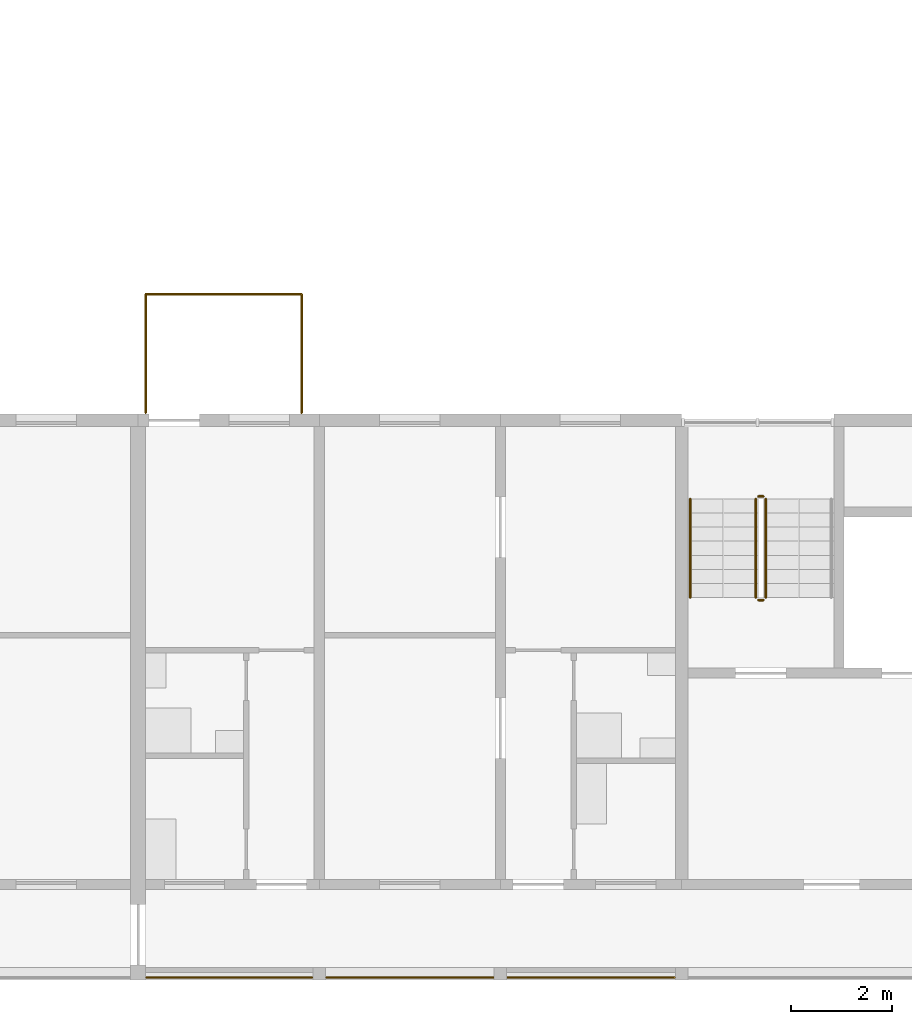
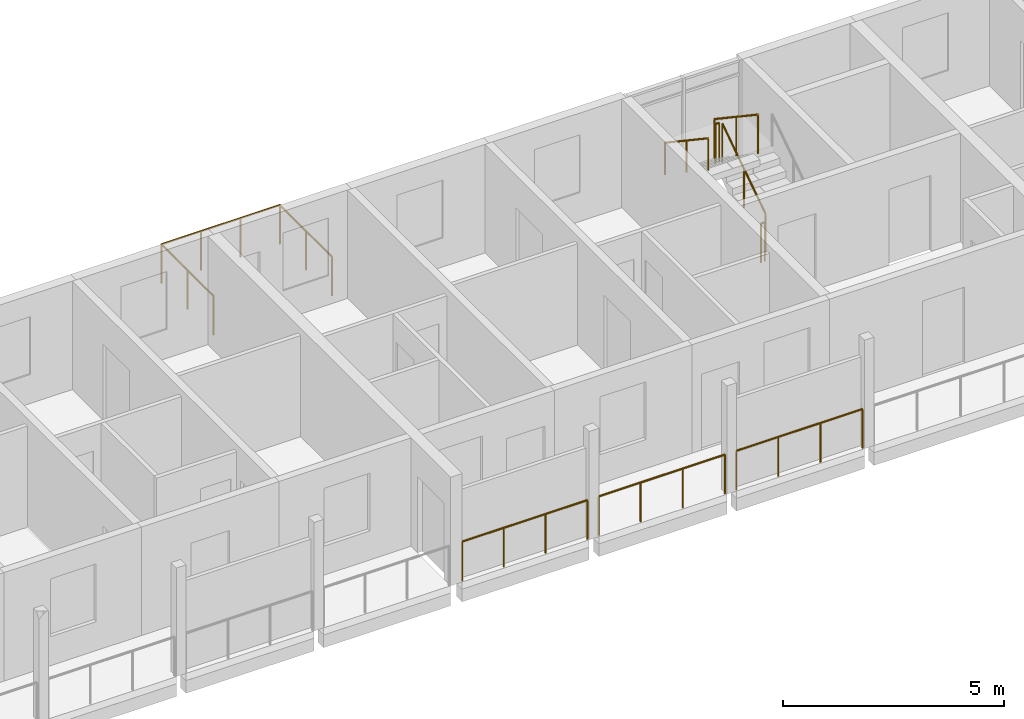
# One storey, part 74 of 94: 9 railings.
"""IFC4 building model written with IfcOpenShell, lengths in metres."""

from ifc_helpers import new_model, si_unit, direction, frame, origin, origin_2d, place, context, subcontext, project, spatial, circle, extrude, material, type_object, element, save


model = new_model("IFC4")

# Units and contexts
model_context = context("Model", 3, precision=1e-05, world=origin(), true_north=direction((0.0, 1.0)))
body_context = subcontext(model_context, "Body", "Model", "MODEL_VIEW")
ifc_project = project(units=[si_unit("LENGTHUNIT", "METRE"), si_unit("AREAUNIT", "SQUARE_METRE"), si_unit("VOLUMEUNIT", "CUBIC_METRE"), si_unit("PLANEANGLEUNIT", "RADIAN"), si_unit("MASSUNIT", "GRAM", prefix="KILO")], contexts=[model_context])

# Site, building, storey
site_placement = place(None, origin())
site = spatial("IfcSite", under=ifc_project, at=site_placement, CompositionType="ELEMENT")
building_placement = place(site_placement, origin())
building = spatial("IfcBuilding", under=site, at=building_placement, Name="Ridgestep Commons", CompositionType="ELEMENT")
storey_placement = place(building_placement, frame((0.0, 0.0, 21.0)))
storey = spatial("IfcBuildingStorey", under=building, at=storey_placement, Name="L07", CompositionType="ELEMENT", Elevation=21.0)

# Railings
ifc_material_1 = material(Name="Structural steel S355JR", Category="steel")
railing_type_1 = type_object("IfcRailingType", Name="Guard 1100", PredefinedType="GUARDRAIL", material=ifc_material_1)
railing_1_placement = place(storey_placement, frame((62.571044921875, 11.800048828125, 0.0)))
element("IfcRailing", 1, at=railing_1_placement, inside=storey, type_object=railing_type_1, Name="Gallery guard A 07.13", PredefinedType="GUARDRAIL", context=body_context, shape_type="SweptSolid", body=[
    extrude(circle(Radius=0.02392578125, at=origin_2d()), frame((0.0, 0.0, 1.076171875), z_axis=(1.0, 0.0, 0.0), x_axis=(0.0, 1.0, 0.0)), (0.0, 0.0, 1.0), 3.282958984375),
    extrude(circle(Radius=0.02099609375, at=origin_2d()), origin(), (0.0, 0.0, 1.0), 1.052001953125),
    extrude(circle(Radius=0.02099609375, at=origin_2d()), frame((1.09423828125, 0.0, 0.0)), (0.0, 0.0, 1.0), 1.052001953125),
    extrude(circle(Radius=0.02099609375, at=origin_2d()), frame((2.188720703125, 0.0, 0.0)), (0.0, 0.0, 1.0), 1.052001953125),
    extrude(circle(Radius=0.02099609375, at=origin_2d()), frame((3.282958984375, 0.0, 0.0)), (0.0, 0.0, 1.0), 1.052001953125),
])
railing_2_placement = place(storey_placement, frame((66.14599609375, 11.800048828125, 0.0)))
element("IfcRailing", 2, at=railing_2_placement, inside=storey, type_object=railing_type_1, Name="Gallery guard A 07.14", PredefinedType="GUARDRAIL", context=body_context, shape_type="SweptSolid", body=[
    extrude(circle(Radius=0.02392578125, at=origin_2d()), frame((0.0, 0.0, 1.076171875), z_axis=(1.0, 0.0, 0.0), x_axis=(0.0, 1.0, 0.0)), (0.0, 0.0, 1.0), 3.30810546875),
    extrude(circle(Radius=0.02099609375, at=origin_2d()), origin(), (0.0, 0.0, 1.0), 1.052001953125),
    extrude(circle(Radius=0.02099609375, at=origin_2d()), frame((1.102783203125, 0.0, 0.0)), (0.0, 0.0, 1.0), 1.052001953125),
    extrude(circle(Radius=0.02099609375, at=origin_2d()), frame((2.205322265625, 0.0, 0.0)), (0.0, 0.0, 1.0), 1.052001953125),
    extrude(circle(Radius=0.02099609375, at=origin_2d()), frame((3.30810546875, 0.0, 0.0)), (0.0, 0.0, 1.0), 1.052001953125),
])
railing_3_placement = place(storey_placement, frame((69.74609375, 11.800048828125, 0.0)))
element("IfcRailing", 3, at=railing_3_placement, inside=storey, type_object=railing_type_1, Name="Gallery guard A 07.15", PredefinedType="GUARDRAIL", context=body_context, shape_type="SweptSolid", body=[
    extrude(circle(Radius=0.02392578125, at=origin_2d()), frame((0.0, 0.0, 1.076171875), z_axis=(1.0, 0.0, 0.0), x_axis=(0.0, 1.0, 0.0)), (0.0, 0.0, 1.0), 3.307861328125),
    extrude(circle(Radius=0.02099609375, at=origin_2d()), origin(), (0.0, 0.0, 1.0), 1.052001953125),
    extrude(circle(Radius=0.02099609375, at=origin_2d()), frame((1.1025390625, 0.0, 0.0)), (0.0, 0.0, 1.0), 1.052001953125),
    extrude(circle(Radius=0.02099609375, at=origin_2d()), frame((2.205322265625, 0.0, 0.0)), (0.0, 0.0, 1.0), 1.052001953125),
    extrude(circle(Radius=0.02099609375, at=origin_2d()), frame((3.307861328125, 0.0, 0.0)), (0.0, 0.0, 1.0), 1.052001953125),
])
ifc_material_2 = material(Name="Structural steel S355JR", Category="steel")
railing_type_2 = type_object("IfcRailingType", Name="Stair guard 1100", PredefinedType="GUARDRAIL", material=ifc_material_2)
railing_4_placement = place(storey_placement, frame((74.875, 19.35009765625, 0.1875)))
element("IfcRailing", 4, at=railing_4_placement, inside=storey, type_object=railing_type_2, Name="L07 A4C stair guard 1", PredefinedType="GUARDRAIL", context=body_context, shape_type="SweptSolid", body=[
    extrude(circle(Radius=0.02392578125, at=origin_2d()), frame((0.0, 0.0, 1.076171875), z_axis=(0.0, 0.830902050051, 0.556418712142), x_axis=(-1.0, 0.0, 0.0)), (0.0, 0.0, 1.0), 2.35888671875),
    extrude(circle(Radius=0.02099609375, at=origin_2d()), origin(), (0.0, 0.0, 1.0), 1.052001953125),
    extrude(circle(Radius=0.02099609375, at=origin_2d()), frame((0.0, 0.97998046875, 0.65625)), (0.0, 0.0, 1.0), 1.052001953125),
    extrude(circle(Radius=0.02099609375, at=origin_2d()), frame((0.0, 1.9599609375, 1.3125)), (0.0, 0.0, 1.0), 1.052001953125),
])
railing_5_placement = place(storey_placement, frame((74.824951171875, 21.360107421875, 1.5)))
element("IfcRailing", 5, at=railing_5_placement, inside=storey, type_object=railing_type_2, Name="L07 A4C stair guard 2", PredefinedType="GUARDRAIL", context=body_context, shape_type="SweptSolid", body=[
    extrude(circle(Radius=0.02392578125, at=origin_2d()), frame((0.0, 0.0, 1.076171875), z_axis=(-1.0, 0.0, 0.0), x_axis=(0.0, -1.0, 0.0)), (0.0, 0.0, 1.0), 0.099853515625),
    extrude(circle(Radius=0.02099609375, at=origin_2d()), origin(), (0.0, 0.0, 1.0), 1.052001953125),
    extrude(circle(Radius=0.02099609375, at=origin_2d()), frame((-0.099853515625, 0.0, 0.0)), (0.0, 0.0, 1.0), 1.052001953125),
])
railing_6_placement = place(storey_placement, frame((74.675048828125, 21.31005859375, 1.6875)))
element("IfcRailing", 6, at=railing_6_placement, inside=storey, type_object=railing_type_2, Name="L07 A4C stair guard 3", PredefinedType="GUARDRAIL", context=body_context, shape_type="SweptSolid", body=[
    extrude(circle(Radius=0.02392578125, at=origin_2d()), frame((0.0, 0.0, 1.076171875), z_axis=(0.0, -0.830902050051, 0.556418712142), x_axis=(1.0, 0.0, 0.0)), (0.0, 0.0, 1.0), 2.35888671875),
    extrude(circle(Radius=0.02099609375, at=origin_2d()), origin(), (0.0, 0.0, 1.0), 1.052001953125),
    extrude(circle(Radius=0.02099609375, at=origin_2d()), frame((0.0, -0.97998046875, 0.65625)), (0.0, 0.0, 1.0), 1.052001953125),
    extrude(circle(Radius=0.02099609375, at=origin_2d()), frame((0.0, -1.9599609375, 1.3125)), (0.0, 0.0, 1.0), 1.052001953125),
])
railing_7_placement = place(storey_placement, frame((74.824951171875, 19.300048828125, 0.0)))
element("IfcRailing", 7, at=railing_7_placement, inside=storey, type_object=railing_type_2, Name="L07 A4C stair guard 4", PredefinedType="GUARDRAIL", context=body_context, shape_type="SweptSolid", body=[
    extrude(circle(Radius=0.02392578125, at=origin_2d()), frame((0.0, 0.0, 1.076171875), z_axis=(-1.0, 0.0, 0.0), x_axis=(0.0, -1.0, 0.0)), (0.0, 0.0, 1.0), 0.099853515625),
    extrude(circle(Radius=0.02099609375, at=origin_2d()), origin(), (0.0, 0.0, 1.0), 1.052001953125),
    extrude(circle(Radius=0.02099609375, at=origin_2d()), frame((-0.099853515625, 0.0, 0.0)), (0.0, 0.0, 1.0), 1.052001953125),
])
ifc_material_3 = material(Name="Structural steel S355JR", Category="steel")
railing_type_3 = type_object("IfcRailingType", Name="Stair handrail 900", PredefinedType="HANDRAIL", material=ifc_material_3)
railing_8_placement = place(storey_placement, frame((73.375, 21.31005859375, 1.6875)))
element("IfcRailing", 8, at=railing_8_placement, inside=storey, type_object=railing_type_3, Name="L07 A4C stair handrail 2", PredefinedType="HANDRAIL", context=body_context, shape_type="SweptSolid", body=[
    extrude(circle(Radius=0.02392578125, at=origin_2d()), frame((0.0, 0.0, 0.8759765625), z_axis=(0.0, -0.830902050051, 0.556418712142), x_axis=(1.0, 0.0, 0.0)), (0.0, 0.0, 1.0), 2.35888671875),
    extrude(circle(Radius=0.02099609375, at=origin_2d()), origin(), (0.0, 0.0, 1.0), 0.851806640625),
    extrude(circle(Radius=0.02099609375, at=origin_2d()), frame((0.0, -0.97998046875, 0.65625)), (0.0, 0.0, 1.0), 0.851806640625),
    extrude(circle(Radius=0.02099609375, at=origin_2d()), frame((0.0, -1.9599609375, 1.3125)), (0.0, 0.0, 1.0), 0.851806640625),
])
ifc_material_4 = material(Name="Weathering steel S355J2W", Category="steel")
railing_type_4 = type_object("IfcRailingType", Name="Tray guard 1100", PredefinedType="GUARDRAIL", material=ifc_material_4)
railing_9_placement = place(storey_placement, frame((62.551025390625, 23.02099609375, 0.0)))
element("IfcRailing", 9, at=railing_9_placement, inside=storey, type_object=railing_type_4, Name="Tray guard A4T1-07", PredefinedType="GUARDRAIL", context=body_context, shape_type="SweptSolid", body=[
    extrude(circle(Radius=0.02392578125, at=origin_2d()), frame((0.0, 0.0, 1.076171875), z_axis=(0.0, 1.0, 0.0), x_axis=(-1.0, 0.0, 0.0)), (0.0, 0.0, 1.0), 2.35791015625),
    extrude(circle(Radius=0.02392578125, at=origin_2d()), frame((0.0, 2.35791015625, 1.076171875), z_axis=(1.0, 0.0, 0.0), x_axis=(0.0, 1.0, 0.0)), (0.0, 0.0, 1.0), 3.097900390625),
    extrude(circle(Radius=0.02392578125, at=origin_2d()), frame((3.097900390625, 2.35791015625, 1.076171875), z_axis=(0.0, -1.0, 0.0), x_axis=(1.0, 0.0, 0.0)), (0.0, 0.0, 1.0), 2.35791015625),
    extrude(circle(Radius=0.02099609375, at=origin_2d()), origin(), (0.0, 0.0, 1.0), 1.052001953125),
    extrude(circle(Radius=0.02099609375, at=origin_2d()), frame((0.0, 1.178955078125, 0.0)), (0.0, 0.0, 1.0), 1.052001953125),
    extrude(circle(Radius=0.02099609375, at=origin_2d()), frame((0.0, 2.35791015625, 0.0)), (0.0, 0.0, 1.0), 1.052001953125),
    extrude(circle(Radius=0.02099609375, at=origin_2d()), frame((1.03271484375, 2.35791015625, 0.0)), (0.0, 0.0, 1.0), 1.052001953125),
    extrude(circle(Radius=0.02099609375, at=origin_2d()), frame((2.065185546875, 2.35791015625, 0.0)), (0.0, 0.0, 1.0), 1.052001953125),
    extrude(circle(Radius=0.02099609375, at=origin_2d()), frame((3.097900390625, 2.35791015625, 0.0)), (0.0, 0.0, 1.0), 1.052001953125),
    extrude(circle(Radius=0.02099609375, at=origin_2d()), frame((3.097900390625, 1.178955078125, 0.0)), (0.0, 0.0, 1.0), 1.052001953125),
    extrude(circle(Radius=0.02099609375, at=origin_2d()), frame((3.097900390625, 0.0, 0.0)), (0.0, 0.0, 1.0), 1.052001953125),
])

save(model, "model.ifc")
